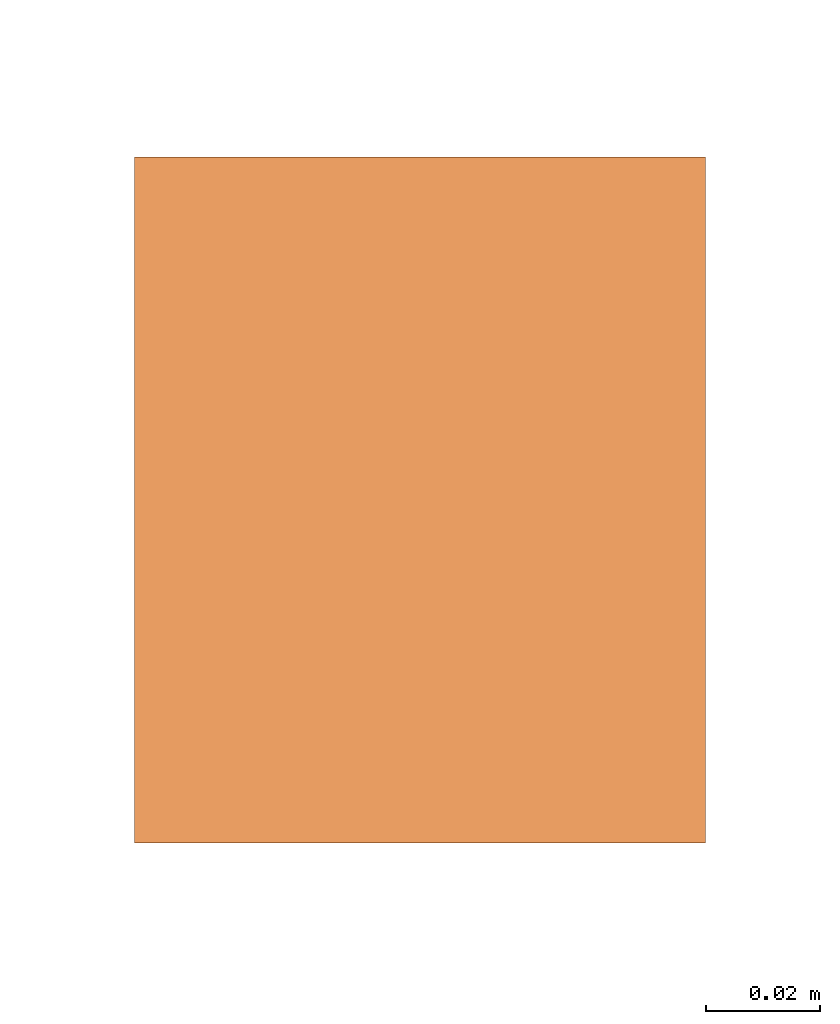
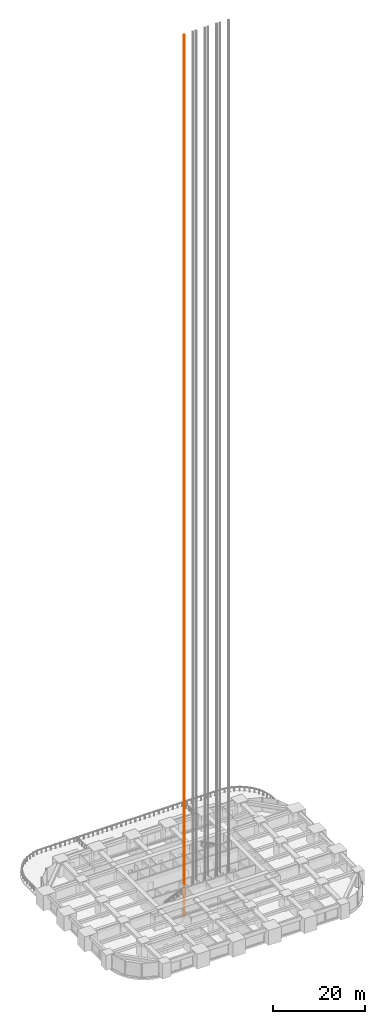
# One storey, part 43 of 50: 1 proxy.
"""IFC4 building model written with IfcOpenShell, lengths in metres."""

from ifc_helpers import new_model, si_unit, direction, frame, origin, origin_2d, place, context, subcontext, project, spatial, rectangle, extrude, element, save


model = new_model("IFC4")

# Units and contexts
model_context = context("Model", 3, precision=1e-05, world=origin(), true_north=direction((0.0, 1.0)))
body_context = subcontext(model_context, "Body", "Model", "MODEL_VIEW")
ifc_project = project(units=[si_unit("LENGTHUNIT", "METRE"), si_unit("AREAUNIT", "SQUARE_METRE"), si_unit("VOLUMEUNIT", "CUBIC_METRE"), si_unit("PLANEANGLEUNIT", "RADIAN"), si_unit("MASSUNIT", "GRAM", prefix="KILO")], contexts=[model_context])

# Site, building, storey
site_placement = place(None, origin())
site = spatial("IfcSite", under=ifc_project, at=site_placement, CompositionType="ELEMENT")
building_placement = place(site_placement, origin())
building = spatial("IfcBuilding", under=site, at=building_placement, Name="Zorevar Civic Tower", CompositionType="ELEMENT")
storey_placement = place(building_placement, frame((0.0, 0.0, 85.0)))
storey = spatial("IfcBuildingStorey", under=building, at=storey_placement, Name="L20", CompositionType="ELEMENT", Elevation=85.0)

# Proxy
proxy_placement = place(storey_placement, frame((27.39990234375, 23.10009765625, -5.0), z_axis=(0.0, 0.0, 1.0), x_axis=(1.0, 0.0, 0.0)))
element("IfcBuildingElementProxy", 1, at=proxy_placement, inside=storey, Name="Passenger lift LT1 guide rail 1", PredefinedType="NOTDEFINED", context=body_context, shape_type="SweptSolid", body=[
    extrude(rectangle(XDim=0.10009765625, YDim=0.1201171875, at=origin_2d()), origin(), (0.0, 0.0, 1.0), 235.300048828125),
])

save(model, "model.ifc")
